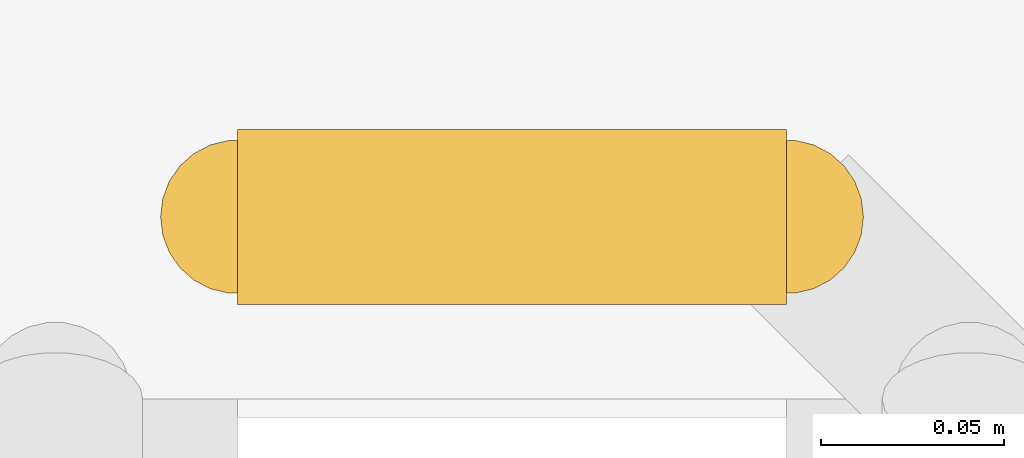
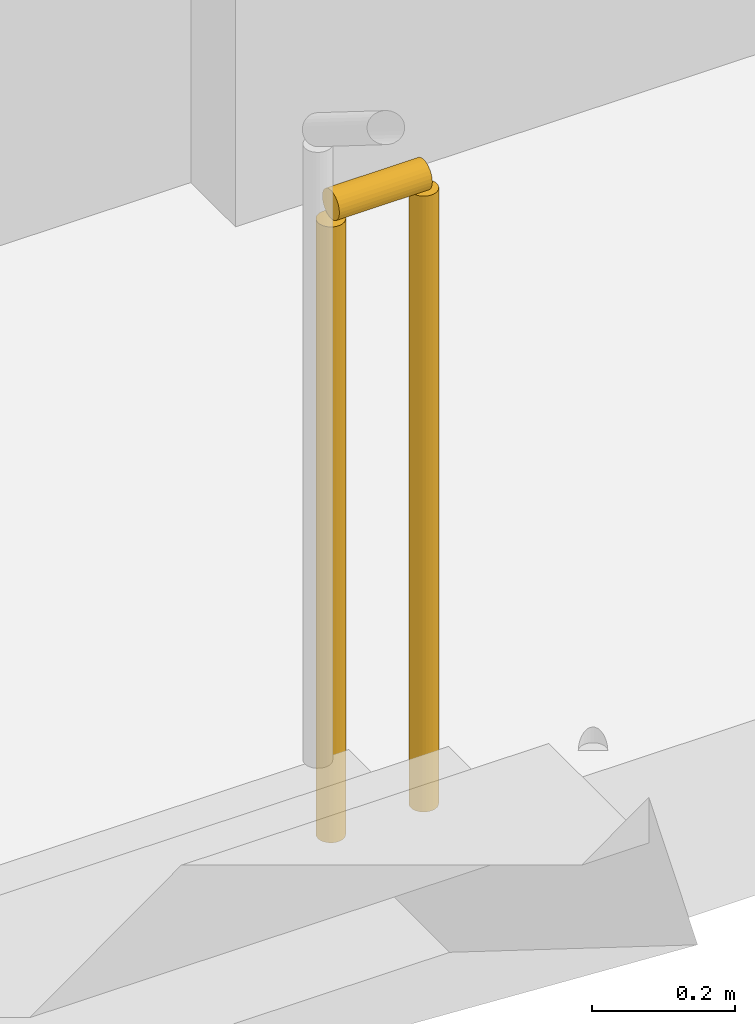
# One storey, part 19 of 24: 1 railing.
"""IFC4 building model written with IfcOpenShell, lengths in metres."""

from ifc_helpers import new_model, si_unit, direction, frame, origin, origin_2d, place, context, subcontext, project, spatial, circle, extrude, material, type_object, element, save


model = new_model("IFC4")

# Units and contexts
model_context = context("Model", 3, precision=1e-05, world=origin(), true_north=direction((0.0, 1.0)))
body_context = subcontext(model_context, "Body", "Model", "MODEL_VIEW")
ifc_project = project(units=[si_unit("LENGTHUNIT", "METRE"), si_unit("AREAUNIT", "SQUARE_METRE"), si_unit("VOLUMEUNIT", "CUBIC_METRE"), si_unit("PLANEANGLEUNIT", "RADIAN"), si_unit("MASSUNIT", "GRAM", prefix="KILO")], contexts=[model_context])

# Site, building, storey
site_placement = place(None, origin())
site = spatial("IfcSite", under=ifc_project, at=site_placement, CompositionType="ELEMENT")
building_placement = place(site_placement, origin())
building = spatial("IfcBuilding", under=site, at=building_placement, Name="Mopane Tessera Tower", CompositionType="ELEMENT")
storey_placement = place(building_placement, frame((0.0, 0.0, 259.0)))
storey = spatial("IfcBuildingStorey", under=building, at=storey_placement, Name="L56", CompositionType="ELEMENT", Elevation=259.0)

# Railing
ifc_material = material(Name="Powder-coated steel balustrade", Category="steel")
railing_type = type_object("IfcRailingType", Name="Escape stair guard 1100 mm", PredefinedType="GUARDRAIL", material=ifc_material)
railing_placement = place(storey_placement, frame((-12.35009765625, -1.35009765625, 0.0)))
element("IfcRailing", 1, at=railing_placement, inside=storey, type_object=railing_type, Name="L56 ST1 stair guard 5", PredefinedType="GUARDRAIL", context=body_context, shape_type="SweptSolid", body=[
    extrude(circle(Radius=0.02392578125, at=origin_2d()), frame((0.0, 0.0, 1.076171875), z_axis=(1.0, 0.0, 0.0), x_axis=(0.0, 1.0, 0.0)), (0.0, 0.0, 1.0), 0.150146484375),
    extrude(circle(Radius=0.02099609375, at=origin_2d()), origin(), (0.0, 0.0, 1.0), 1.052001953125),
    extrude(circle(Radius=0.02099609375, at=origin_2d()), frame((0.150146484375, 0.0, 0.0)), (0.0, 0.0, 1.0), 1.052001953125),
])

save(model, "model.ifc")
